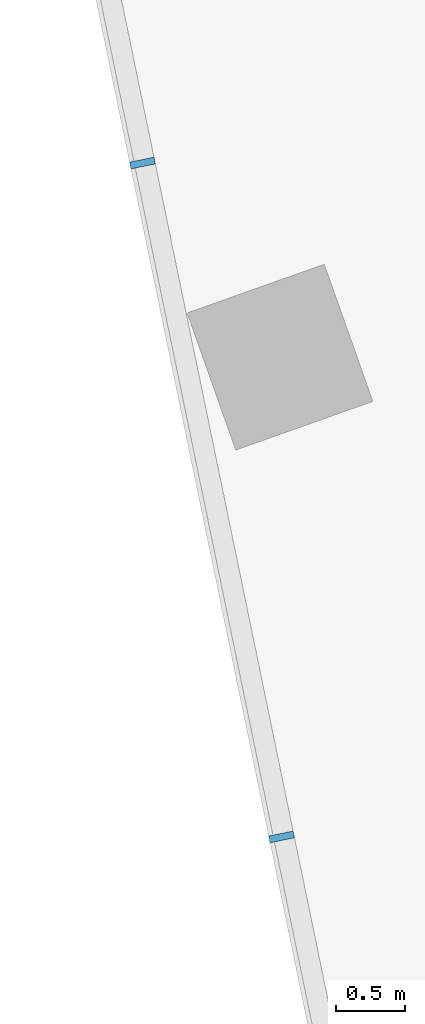
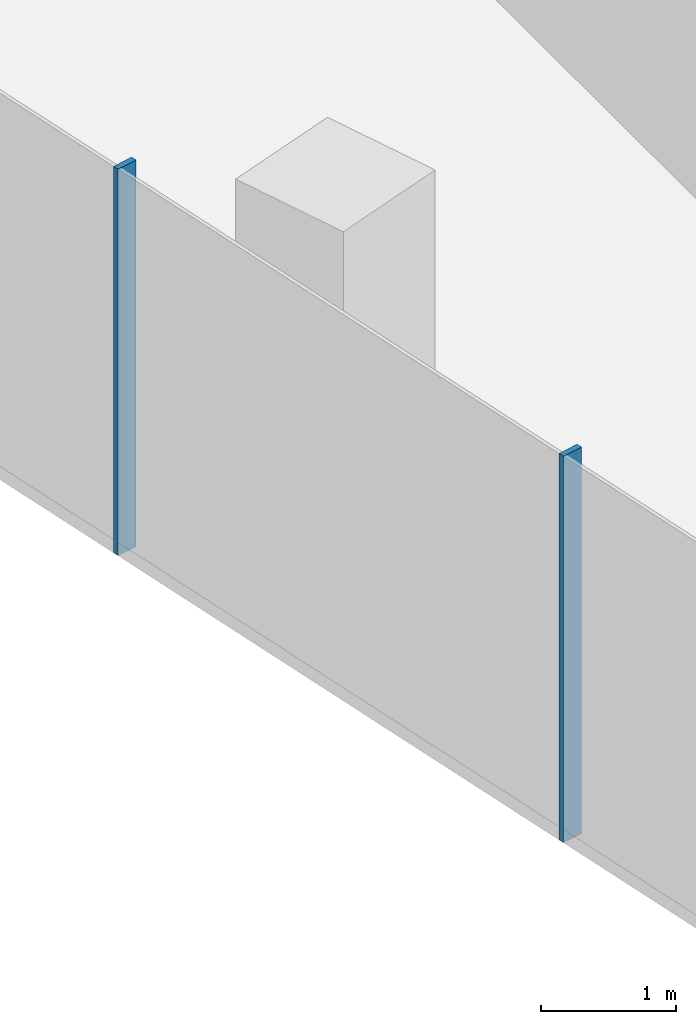
# One storey, part 3 of 24: 2 members, 1 element without a shape of its own.
"""IFC4 building model written with IfcOpenShell, lengths in metres."""

from ifc_helpers import new_model, si_unit, direction, frame, origin, origin_2d, place, context, subcontext, project, spatial, rectangle, extrude, material, material_profile, profile_set, type_object, element, aggregate, save


model = new_model("IFC4")

# Units and contexts
model_context = context("Model", 3, precision=1e-05, world=origin(), true_north=direction((0.0, 1.0)))
body_context = subcontext(model_context, "Body", "Model", "MODEL_VIEW")
ifc_project = project(units=[si_unit("LENGTHUNIT", "METRE"), si_unit("AREAUNIT", "SQUARE_METRE"), si_unit("VOLUMEUNIT", "CUBIC_METRE"), si_unit("PLANEANGLEUNIT", "RADIAN"), si_unit("MASSUNIT", "GRAM", prefix="KILO")], contexts=[model_context])

# Site, building, storey
site_placement = place(None, origin())
site = spatial("IfcSite", under=ifc_project, at=site_placement, CompositionType="ELEMENT")
building_placement = place(site_placement, origin())
building = spatial("IfcBuilding", under=site, at=building_placement, Name="Orlundy Tower", CompositionType="ELEMENT")
storey_placement = place(building_placement, frame((0.0, 0.0, 235.5)))
storey = spatial("IfcBuildingStorey", under=building, at=storey_placement, Name="L62", CompositionType="ELEMENT", Elevation=235.5)

# Curtain wall, members
ifc_material_1 = material(Name="Aluminium bronze anodised", Category="aluminium")
curtain_wall_type = type_object("IfcCurtainWallType", Name="CW1 wall", PredefinedType="NOTDEFINED", material=ifc_material_1)
curtain_wall_placement = place(storey_placement, origin())
curtain_wall = element("IfcCurtainWall", 1, at=curtain_wall_placement, inside=storey, type_object=curtain_wall_type, Name="CW1 run 014", PredefinedType="NOTDEFINED")
ifc_material_2 = material(Name="Aluminium bronze anodised", Category="aluminium")
ifc_material_profile = material_profile(ifc_material_2, rectangle(XDim=0.179931640625, YDim=0.050048828125, at=origin_2d()), Name="CW1 mullion 50x180")
ifc_profile_set = profile_set([ifc_material_profile], Name="Aluminium bronze anodised")
member_type = type_object("IfcMemberType", Name="CW1 mullion 50x180", PredefinedType="MULLION", material=ifc_profile_set)
member_1_placement = place(storey_placement, frame((-27.96044921875, -13.386474609375, -0.39990234375), z_axis=(0.0, 0.0, 1.0), x_axis=(-0.979337428215, -0.202233038095, 0.0)))
member_1 = element("IfcMember", 2, at=member_1_placement, type_object=member_type, Name="CW1 mullion 23", PredefinedType="MULLION", context=body_context, shape_type="SweptSolid", body=[
    extrude(rectangle(XDim=0.179931640625, YDim=0.050048828125, at=origin_2d()), origin(), (0.0, 0.0, 1.0), 3.5),
])
member_2_placement = place(storey_placement, frame((-28.965576171875, -8.5185546875, -0.39990234375), z_axis=(0.0, 0.0, 1.0), x_axis=(-0.979337428215, -0.202233038095, 0.0)))
member_2 = element("IfcMember", 3, at=member_2_placement, type_object=member_type, Name="CW1 mullion 24", PredefinedType="MULLION", context=body_context, shape_type="SweptSolid", body=[
    extrude(rectangle(XDim=0.179931640625, YDim=0.050048828125, at=origin_2d()), origin(), (0.0, 0.0, 1.0), 3.5),
])
aggregate(curtain_wall, [member_1, member_2])

save(model, "model.ifc")
